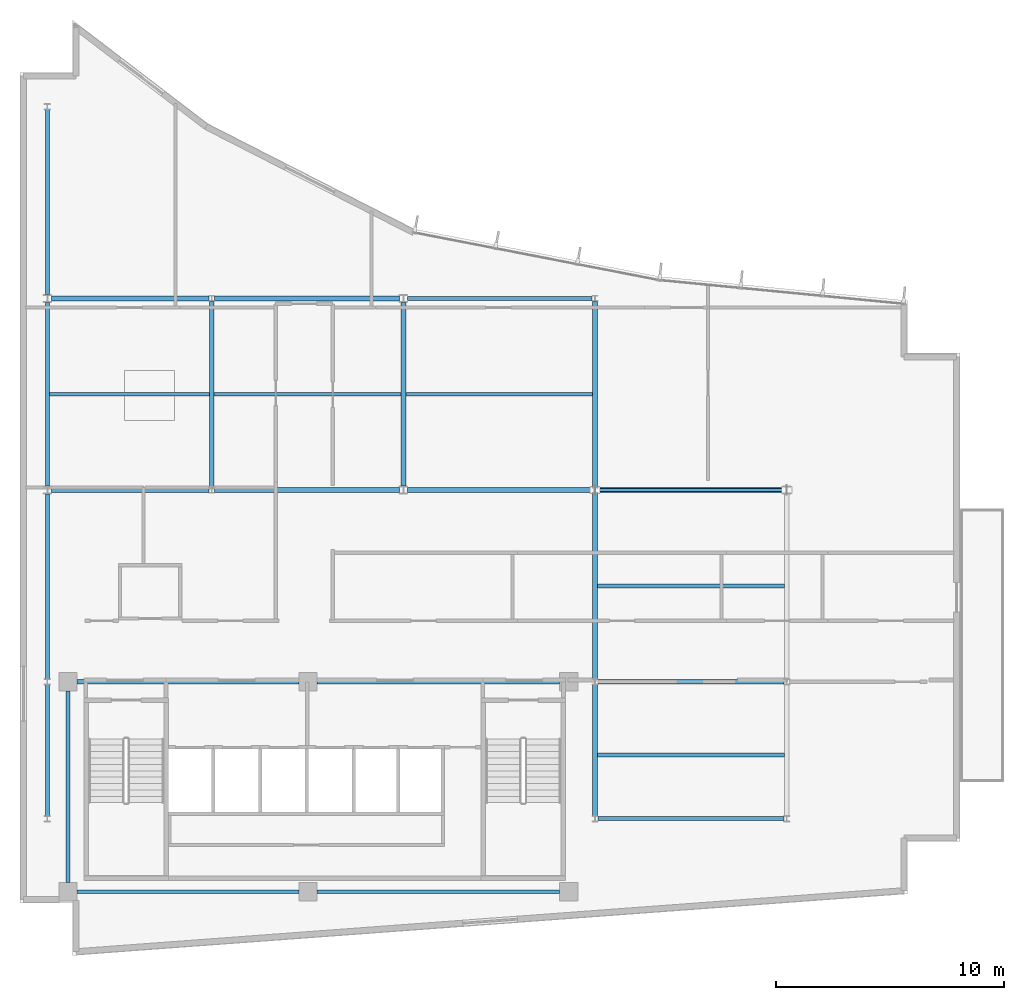
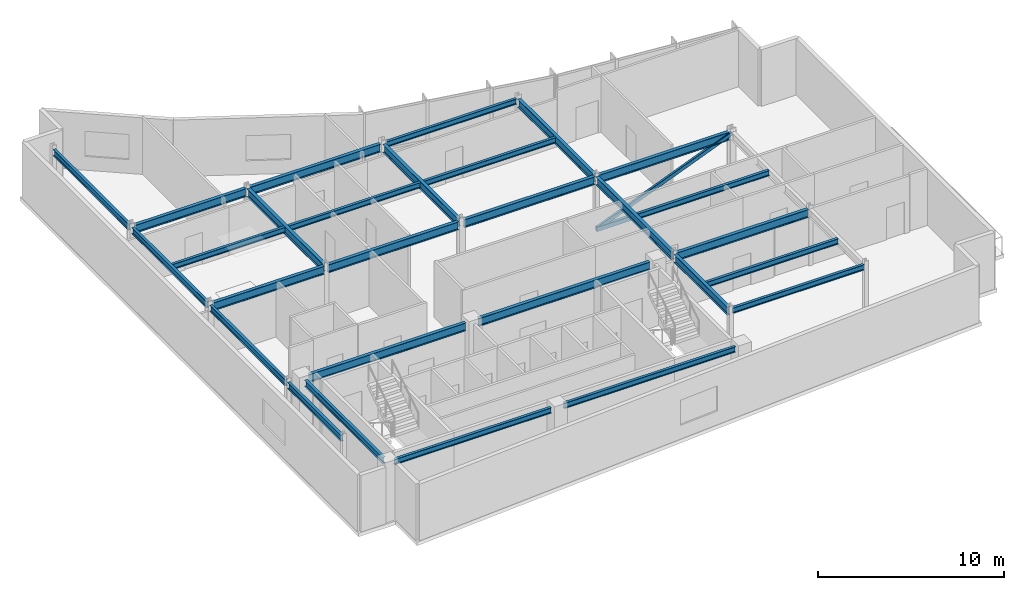
# One storey, part 5 of 16: 28 beams, 2 members.
"""IFC4 building model written with IfcOpenShell, lengths in metres."""

from ifc_helpers import new_model, si_unit, direction, frame, origin, origin_2d, place, context, subcontext, project, spatial, hollow_rectangle, i_section, extrude, material, material_profile, profile_set, type_object, element, save


model = new_model("IFC4")

# Units and contexts
model_context = context("Model", 3, precision=1e-05, world=origin(), true_north=direction((0.0, 1.0)))
body_context = subcontext(model_context, "Body", "Model", "MODEL_VIEW")
ifc_project = project(units=[si_unit("LENGTHUNIT", "METRE"), si_unit("AREAUNIT", "SQUARE_METRE"), si_unit("VOLUMEUNIT", "CUBIC_METRE"), si_unit("PLANEANGLEUNIT", "RADIAN"), si_unit("MASSUNIT", "GRAM", prefix="KILO")], contexts=[model_context])

# Site, building, storey
site_placement = place(None, origin())
site = spatial("IfcSite", under=ifc_project, at=site_placement, CompositionType="ELEMENT")
building_placement = place(site_placement, origin())
building = spatial("IfcBuilding", under=site, at=building_placement, Name="Varnakote Quay Hospital", CompositionType="ELEMENT")
storey_placement = place(building_placement, frame((0.0, 0.0, 272.35009765625)))
storey = spatial("IfcBuildingStorey", under=building, at=storey_placement, Name="L67", CompositionType="ELEMENT", Elevation=272.35009765625)

# Beams
ifc_material_1 = material(Name="Structural steel AS/NZS 3679.1 Grade 350 L0 (fy 340 MPa)", Category="steel")
ifc_material_profile_1 = material_profile(ifc_material_1, i_section(OverallWidth=0.208984375, OverallDepth=0.528076171875, WebThickness=0.009521484375, FlangeThickness=0.01318359375, FilletRadius=0.013916015625, at=origin_2d()), Name="530UB82.0")
ifc_profile_set_1 = profile_set([ifc_material_profile_1], Name="Structural steel AS/NZS 3679.1 Grade 350 L0 (fy 340 MPa)")
beam_type_1 = type_object("IfcBeamType", Name="BM-STL-530UB82-0", PredefinedType="BEAM", material=ifc_profile_set_1)
beam_1_placement = place(storey_placement, frame((2.5, 12.0, 3.44580078125), z_axis=(1.0, 0.0, 0.0), x_axis=(0.0, 1.0, 0.0)))
element("IfcBeam", 1, at=beam_1_placement, inside=storey, type_object=beam_type_1, Name="L67 Primary Floor Beam", PredefinedType="BEAM", context=body_context, shape_type="SweptSolid", body=[
    extrude(i_section(OverallWidth=0.208984375, OverallDepth=0.528076171875, WebThickness=0.009521484375, FlangeThickness=0.01318359375, FilletRadius=0.013916015625, at=origin_2d()), origin(), (0.0, 0.0, 1.0), 9.719970703125),
])
beam_2_placement = place(storey_placement, frame((13.02001953125, 12.0, 3.44580078125), z_axis=(1.0, 0.0, 0.0), x_axis=(0.0, 1.0, 0.0)))
element("IfcBeam", 2, at=beam_2_placement, inside=storey, type_object=beam_type_1, Name="L67 Primary Floor Beam", PredefinedType="BEAM", context=body_context, shape_type="SweptSolid", body=[
    extrude(i_section(OverallWidth=0.208984375, OverallDepth=0.528076171875, WebThickness=0.009521484375, FlangeThickness=0.01318359375, FilletRadius=0.013916015625, at=origin_2d()), origin(), (0.0, 0.0, 1.0), 10.6298828125),
])
beam_3_placement = place(storey_placement, frame((25.326904296875, 12.0, 3.44580078125), z_axis=(1.0, 0.0, 0.0), x_axis=(0.0, 1.0, 0.0)))
element("IfcBeam", 3, at=beam_3_placement, inside=storey, type_object=beam_type_1, Name="L67 Primary Floor Beam", PredefinedType="BEAM", context=body_context, shape_type="SweptSolid", body=[
    extrude(i_section(OverallWidth=0.208984375, OverallDepth=0.528076171875, WebThickness=0.009521484375, FlangeThickness=0.01318359375, FilletRadius=0.013916015625, at=origin_2d()), origin(), (0.0, 0.0, 1.0), 8.14599609375),
])
beam_4_placement = place(storey_placement, frame((1.375, 20.39990234375, 3.44580078125), z_axis=(1.0, 0.0, 0.0), x_axis=(0.0, 1.0, 0.0)))
element("IfcBeam", 4, at=beam_4_placement, inside=storey, type_object=beam_type_1, Name="L67 Primary Floor Beam", PredefinedType="BEAM", context=body_context, shape_type="SweptSolid", body=[
    extrude(i_section(OverallWidth=0.208984375, OverallDepth=0.528076171875, WebThickness=0.009521484375, FlangeThickness=0.01318359375, FilletRadius=0.013916015625, at=origin_2d()), origin(), (0.0, 0.0, 1.0), 6.89794921875),
])
for number, where, z_axis, x_axis, name in (
    (5, (8.527099609375, 20.39990234375, 3.44580078125), (1.0, 0.0, 0.0), (0.0, 1.0, 0.0), "L67 Primary Floor Beam"),
    (6, (16.97509765625, 20.39990234375, 3.44580078125), (1.0, 0.0, 0.0), (0.0, 1.0, 0.0), "L67 Primary Floor Beam"),
):
    element("IfcBeam", number, at=place(storey_placement, frame(where, z_axis=z_axis, x_axis=x_axis)), inside=storey, type_object=beam_type_1, Name=name, PredefinedType="BEAM", context=body_context, shape_type="SweptSolid", body=[
        extrude(i_section(OverallWidth=0.208984375, OverallDepth=0.528076171875, WebThickness=0.009521484375, FlangeThickness=0.01318359375, FilletRadius=0.013916015625, at=origin_2d()), origin(), (0.0, 0.0, 1.0), 8.097900390625),
    ])
beam_5_placement = place(storey_placement, frame((25.326904296875, 20.39990234375, 3.44580078125), z_axis=(1.0, 0.0, 0.0), x_axis=(0.0, 1.0, 0.0)))
element("IfcBeam", 7, at=beam_5_placement, inside=storey, type_object=beam_type_1, Name="L67 Primary Floor Beam", PredefinedType="BEAM", context=body_context, shape_type="SweptSolid", body=[
    extrude(i_section(OverallWidth=0.208984375, OverallDepth=0.528076171875, WebThickness=0.009521484375, FlangeThickness=0.01318359375, FilletRadius=0.013916015625, at=origin_2d()), origin(), (0.0, 0.0, 1.0), 8.09814453125),
])
beam_6_placement = place(storey_placement, frame((1.375, 28.800048828125, 3.44580078125), z_axis=(1.0, 0.0, 0.0), x_axis=(0.0, 1.0, 0.0)))
element("IfcBeam", 8, at=beam_6_placement, inside=storey, type_object=beam_type_1, Name="L67 Primary Floor Beam", PredefinedType="BEAM", context=body_context, shape_type="SweptSolid", body=[
    extrude(i_section(OverallWidth=0.208984375, OverallDepth=0.528076171875, WebThickness=0.009521484375, FlangeThickness=0.01318359375, FilletRadius=0.013916015625, at=origin_2d()), origin(), (0.0, 0.0, 1.0), 6.89794921875),
])
beam_7_placement = place(storey_placement, frame((8.527099609375, 28.800048828125, 3.44580078125), z_axis=(1.0, 0.0, 0.0), x_axis=(0.0, 1.0, 0.0)))
element("IfcBeam", 9, at=beam_7_placement, inside=storey, type_object=beam_type_1, Name="L67 Primary Floor Beam", PredefinedType="BEAM", context=body_context, shape_type="SweptSolid", body=[
    extrude(i_section(OverallWidth=0.208984375, OverallDepth=0.528076171875, WebThickness=0.009521484375, FlangeThickness=0.01318359375, FilletRadius=0.013916015625, at=origin_2d()), origin(), (0.0, 0.0, 1.0), 8.097900390625),
])
beam_8_placement = place(storey_placement, frame((8.39990234375, 20.527099609375, 3.44580078125), z_axis=(0.0, 1.0, 0.0), x_axis=(-1.0, 0.0, 0.0)))
element("IfcBeam", 10, at=beam_8_placement, inside=storey, type_object=beam_type_1, Name="L67 Primary Tie Beam", PredefinedType="BEAM", context=body_context, shape_type="SweptSolid", body=[
    extrude(i_section(OverallWidth=0.208984375, OverallDepth=0.528076171875, WebThickness=0.009521484375, FlangeThickness=0.01318359375, FilletRadius=0.013916015625, at=origin_2d()), origin(), (0.0, 0.0, 1.0), 8.14599609375),
])
beam_9_placement = place(storey_placement, frame((16.800048828125, 20.570068359375, 3.44580078125), z_axis=(0.0, 1.0, 0.0), x_axis=(-1.0, 0.0, 0.0)))
element("IfcBeam", 11, at=beam_9_placement, inside=storey, type_object=beam_type_1, Name="L67 Primary Tie Beam", PredefinedType="BEAM", context=body_context, shape_type="SweptSolid", body=[
    extrude(i_section(OverallWidth=0.208984375, OverallDepth=0.528076171875, WebThickness=0.009521484375, FlangeThickness=0.01318359375, FilletRadius=0.013916015625, at=origin_2d()), origin(), (0.0, 0.0, 1.0), 8.059814453125),
])
beam_10_placement = place(storey_placement, frame((25.199951171875, 6.126953125, 3.44580078125), z_axis=(0.0, 1.0, 0.0), x_axis=(-1.0, 0.0, 0.0)))
element("IfcBeam", 12, at=beam_10_placement, inside=storey, type_object=beam_type_1, Name="L67 Primary Tie Beam", PredefinedType="BEAM", context=body_context, shape_type="SweptSolid", body=[
    extrude(i_section(OverallWidth=0.208984375, OverallDepth=0.528076171875, WebThickness=0.009521484375, FlangeThickness=0.01318359375, FilletRadius=0.013916015625, at=origin_2d()), origin(), (0.0, 0.0, 1.0), 5.74609375),
])
for number, where, z_axis, x_axis, name in (
    (13, (25.199951171875, 12.126953125, 3.44580078125), (0.0, 1.0, 0.0), (-1.0, 0.0, 0.0), "L67 Primary Tie Beam"),
    (14, (25.199951171875, 20.527099609375, 3.44580078125), (0.0, 1.0, 0.0), (-1.0, 0.0, 0.0), "L67 Primary Tie Beam"),
):
    element("IfcBeam", number, at=place(storey_placement, frame(where, z_axis=z_axis, x_axis=x_axis)), inside=storey, type_object=beam_type_1, Name=name, PredefinedType="BEAM", context=body_context, shape_type="SweptSolid", body=[
        extrude(i_section(OverallWidth=0.208984375, OverallDepth=0.528076171875, WebThickness=0.009521484375, FlangeThickness=0.01318359375, FilletRadius=0.013916015625, at=origin_2d()), origin(), (0.0, 0.0, 1.0), 8.14599609375),
    ])
ifc_material_2 = material(Name="Structural steel AS/NZS 3679.1 Grade 350 L0 (fy 340 MPa)", Category="steel")
ifc_material_profile_2 = material_profile(ifc_material_2, i_section(OverallWidth=0.1708984375, OverallDepth=0.35595703125, WebThickness=0.00732421875, FlangeThickness=0.011474609375, FilletRadius=0.011474609375, at=origin_2d()), Name="360UB50.7")
ifc_profile_set_2 = profile_set([ifc_material_profile_2], Name="Structural steel AS/NZS 3679.1 Grade 350 L0 (fy 340 MPa)")
beam_type_2 = type_object("IfcBeamType", Name="JST-STL-360UB50-7", PredefinedType="JOIST", material=ifc_profile_set_2)
for number, where, z_axis, x_axis, name in (
    (15, (25.304443359375, 8.800048828125, 3.531982421875), (1.0, 0.0, 0.0), (0.0, 1.0, 0.0), "L67 Composite Floor Joist"),
    (16, (25.304443359375, 16.199951171875, 3.531982421875), (1.0, 0.0, 0.0), (0.0, 1.0, 0.0), "L67 Composite Floor Joist"),
):
    element("IfcBeam", number, at=place(storey_placement, frame(where, z_axis=z_axis, x_axis=x_axis)), inside=storey, type_object=beam_type_2, Name=name, PredefinedType="JOIST", context=body_context, shape_type="SweptSolid", body=[
        extrude(i_section(OverallWidth=0.1708984375, OverallDepth=0.35595703125, WebThickness=0.00732421875, FlangeThickness=0.011474609375, FilletRadius=0.011474609375, at=origin_2d()), origin(), (0.0, 0.0, 1.0), 8.191162109375),
    ])
beam_11_placement = place(storey_placement, frame((1.2890625, 24.60009765625, 3.531982421875), z_axis=(1.0, 0.0, 0.0), x_axis=(0.0, 1.0, 0.0)))
element("IfcBeam", 17, at=beam_11_placement, inside=storey, type_object=beam_type_2, Name="L67 Composite Floor Joist", PredefinedType="JOIST", context=body_context, shape_type="SweptSolid", body=[
    extrude(i_section(OverallWidth=0.1708984375, OverallDepth=0.35595703125, WebThickness=0.00732421875, FlangeThickness=0.011474609375, FilletRadius=0.011474609375, at=origin_2d()), origin(), (0.0, 0.0, 1.0), 7.00634765625),
])
beam_12_placement = place(storey_placement, frame((8.50439453125, 24.60009765625, 3.531982421875), z_axis=(1.0, 0.0, 0.0), x_axis=(0.0, 1.0, 0.0)))
element("IfcBeam", 18, at=beam_12_placement, inside=storey, type_object=beam_type_2, Name="L67 Composite Floor Joist", PredefinedType="JOIST", context=body_context, shape_type="SweptSolid", body=[
    extrude(i_section(OverallWidth=0.1708984375, OverallDepth=0.35595703125, WebThickness=0.00732421875, FlangeThickness=0.011474609375, FilletRadius=0.011474609375, at=origin_2d()), origin(), (0.0, 0.0, 1.0), 8.191162109375),
])
beam_13_placement = place(storey_placement, frame((16.904541015625, 24.60009765625, 3.531982421875), z_axis=(1.0, 0.0, 0.0), x_axis=(0.0, 1.0, 0.0)))
element("IfcBeam", 19, at=beam_13_placement, inside=storey, type_object=beam_type_2, Name="L67 Composite Floor Joist", PredefinedType="JOIST", context=body_context, shape_type="SweptSolid", body=[
    extrude(i_section(OverallWidth=0.1708984375, OverallDepth=0.35595703125, WebThickness=0.00732421875, FlangeThickness=0.011474609375, FilletRadius=0.011474609375, at=origin_2d()), origin(), (0.0, 0.0, 1.0), 8.19091796875),
])

# Members
ifc_material_3 = material(Name="Structural steel AS/NZS 1163 Grade 350 C350L0 (fy 350 MPa)", Category="steel")
ifc_material_profile_3 = material_profile(ifc_material_3, hollow_rectangle(XDim=0.14990234375, YDim=0.25, WallThickness=0.009033203125, InnerFilletRadius=0.009033203125, OuterFilletRadius=0.01806640625, at=origin_2d()), Name="250x150x9.0RHS")
ifc_profile_set_3 = profile_set([ifc_material_profile_3], Name="Structural steel AS/NZS 1163 Grade 350 C350L0 (fy 350 MPa)")
member_type_1 = type_object("IfcMemberType", Name="MBR-BRC-250x150x9-0RHS", PredefinedType="BRACE", material=ifc_profile_set_3)
member_1_placement = place(storey_placement, frame((25.199951171875, 20.39990234375, 0.179931640625), z_axis=(0.928865301858, 0.0, 0.37041767102), x_axis=(0.0, 1.0, 0.0)))
element("IfcMember", 20, at=member_1_placement, inside=storey, type_object=member_type_1, Name="L67 Sawtooth Wedge Transfer Truss Diagonal", PredefinedType="BRACE", context=body_context, shape_type="SweptSolid", body=[
    extrude(hollow_rectangle(XDim=0.14990234375, YDim=0.25, WallThickness=0.009033203125, InnerFilletRadius=0.009033203125, OuterFilletRadius=0.01806640625, at=origin_2d()), origin(), (0.0, 0.0, 1.0), 9.04345703125),
])
ifc_material_4 = material(Name="Structural steel AS/NZS 1163 Grade 350 C350L0 (fy 350 MPa)", Category="steel")
ifc_material_profile_4 = material_profile(ifc_material_4, hollow_rectangle(XDim=0.199951171875, YDim=0.300048828125, WallThickness=0.010009765625, InnerFilletRadius=0.010009765625, OuterFilletRadius=0.02001953125, at=origin_2d()), Name="300x200x10.0RHS")
ifc_profile_set_4 = profile_set([ifc_material_profile_4], Name="Structural steel AS/NZS 1163 Grade 350 C350L0 (fy 350 MPa)")
member_type_2 = type_object("IfcMemberType", Name="MBR-CHD-300x200x10-0RHS", PredefinedType="CHORD", material=ifc_profile_set_4)
member_2_placement = place(storey_placement, frame((25.199951171875, 20.39990234375, 0.179931640625), z_axis=(1.0, 0.0, 0.0), x_axis=(0.0, 1.0, 0.0)))
element("IfcMember", 21, at=member_2_placement, inside=storey, type_object=member_type_2, Name="L67 Sawtooth Wedge Transfer Truss Chord", PredefinedType="CHORD", context=body_context, shape_type="SweptSolid", body=[
    extrude(hollow_rectangle(XDim=0.199951171875, YDim=0.300048828125, WallThickness=0.010009765625, InnerFilletRadius=0.010009765625, OuterFilletRadius=0.02001953125, at=origin_2d()), origin(), (0.0, 0.0, 1.0), 8.400146484375),
])

# Beams
ifc_material_5 = material(Name="Structural steel AS/NZS 3679.1 Grade 350 L0 (fy 340 MPa)", Category="steel")
ifc_material_profile_5 = material_profile(ifc_material_5, i_section(OverallWidth=0.172119140625, OverallDepth=0.35888671875, WebThickness=0.008056640625, FlangeThickness=0.012939453125, FilletRadius=0.011474609375, at=origin_2d()), Name="360UB56.7")
ifc_profile_set_5 = profile_set([ifc_material_profile_5], Name="Structural steel AS/NZS 3679.1 Grade 350 L0 (fy 340 MPa)")
beam_type_3 = type_object("IfcBeamType", Name="SPN-STL-360UB56-7", PredefinedType="SPANDREL", material=ifc_profile_set_5)
beam_14_placement = place(storey_placement, frame((2.5, 2.800048828125, 3.530517578125), z_axis=(1.0, 0.0, 0.0), x_axis=(0.0, 1.0, 0.0)))
element("IfcBeam", 22, at=beam_14_placement, inside=storey, type_object=beam_type_3, Name="L67 Perimeter Spandrel Beam", PredefinedType="SPANDREL", context=body_context, shape_type="SweptSolid", body=[
    extrude(i_section(OverallWidth=0.172119140625, OverallDepth=0.35888671875, WebThickness=0.008056640625, FlangeThickness=0.012939453125, FilletRadius=0.011474609375, at=origin_2d()), origin(), (0.0, 0.0, 1.0), 9.719970703125),
])
beam_15_placement = place(storey_placement, frame((13.02001953125, 2.800048828125, 3.530517578125), z_axis=(1.0, 0.0, 0.0), x_axis=(0.0, 1.0, 0.0)))
element("IfcBeam", 23, at=beam_15_placement, inside=storey, type_object=beam_type_3, Name="L67 Perimeter Spandrel Beam", PredefinedType="SPANDREL", context=body_context, shape_type="SweptSolid", body=[
    extrude(i_section(OverallWidth=0.172119140625, OverallDepth=0.35888671875, WebThickness=0.008056640625, FlangeThickness=0.012939453125, FilletRadius=0.011474609375, at=origin_2d()), origin(), (0.0, 0.0, 1.0), 10.6298828125),
])
beam_16_placement = place(storey_placement, frame((25.326904296875, 6.0, 3.530517578125), z_axis=(1.0, 0.0, 0.0), x_axis=(0.0, 1.0, 0.0)))
element("IfcBeam", 24, at=beam_16_placement, inside=storey, type_object=beam_type_3, Name="L67 Perimeter Spandrel Beam", PredefinedType="SPANDREL", context=body_context, shape_type="SweptSolid", body=[
    extrude(i_section(OverallWidth=0.172119140625, OverallDepth=0.35888671875, WebThickness=0.008056640625, FlangeThickness=0.012939453125, FilletRadius=0.011474609375, at=origin_2d()), origin(), (0.0, 0.0, 1.0), 8.14599609375),
])
beam_17_placement = place(storey_placement, frame((16.97509765625, 28.800048828125, 3.530517578125), z_axis=(1.0, 0.0, 0.0), x_axis=(0.0, 1.0, 0.0)))
element("IfcBeam", 25, at=beam_17_placement, inside=storey, type_object=beam_type_3, Name="L67 Perimeter Spandrel Beam", PredefinedType="SPANDREL", context=body_context, shape_type="SweptSolid", body=[
    extrude(i_section(OverallWidth=0.172119140625, OverallDepth=0.35888671875, WebThickness=0.008056640625, FlangeThickness=0.012939453125, FilletRadius=0.011474609375, at=origin_2d()), origin(), (0.0, 0.0, 1.0), 8.097900390625),
])
ifc_material_6 = material(Name="Structural steel AS/NZS 3679.1 Grade 350 L0 (fy 340 MPa)", Category="steel")
ifc_material_profile_6 = material_profile(ifc_material_6, i_section(OverallWidth=0.177978515625, OverallDepth=0.403076171875, WebThickness=0.007568359375, FlangeThickness=0.010986328125, FilletRadius=0.011474609375, at=origin_2d()), Name="410UB53.7")
ifc_profile_set_6 = profile_set([ifc_material_profile_6], Name="Structural steel AS/NZS 3679.1 Grade 350 L0 (fy 340 MPa)")
beam_type_4 = type_object("IfcBeamType", Name="SPN-STL-410UB53-7", PredefinedType="SPANDREL", material=ifc_profile_set_6)
beam_18_placement = place(storey_placement, frame((1.199951171875, 6.126953125, 3.50830078125), z_axis=(0.0, 1.0, 0.0), x_axis=(-1.0, 0.0, 0.0)))
element("IfcBeam", 26, at=beam_18_placement, inside=storey, type_object=beam_type_4, Name="L67 Perimeter Spandrel Beam", PredefinedType="SPANDREL", context=body_context, shape_type="SweptSolid", body=[
    extrude(i_section(OverallWidth=0.177978515625, OverallDepth=0.403076171875, WebThickness=0.007568359375, FlangeThickness=0.010986328125, FilletRadius=0.011474609375, at=origin_2d()), origin(), (0.0, 0.0, 1.0), 5.74609375),
])
beam_19_placement = place(storey_placement, frame((1.199951171875, 12.126953125, 3.50830078125), z_axis=(0.0, 1.0, 0.0), x_axis=(-1.0, 0.0, 0.0)))
element("IfcBeam", 27, at=beam_19_placement, inside=storey, type_object=beam_type_4, Name="L67 Perimeter Spandrel Beam", PredefinedType="SPANDREL", context=body_context, shape_type="SweptSolid", body=[
    extrude(i_section(OverallWidth=0.177978515625, OverallDepth=0.403076171875, WebThickness=0.007568359375, FlangeThickness=0.010986328125, FilletRadius=0.011474609375, at=origin_2d()), origin(), (0.0, 0.0, 1.0), 8.10302734375),
])
beam_20_placement = place(storey_placement, frame((1.199951171875, 20.570068359375, 3.50830078125), z_axis=(0.0, 1.0, 0.0), x_axis=(-1.0, 0.0, 0.0)))
element("IfcBeam", 28, at=beam_20_placement, inside=storey, type_object=beam_type_4, Name="L67 Perimeter Spandrel Beam", PredefinedType="SPANDREL", context=body_context, shape_type="SweptSolid", body=[
    extrude(i_section(OverallWidth=0.177978515625, OverallDepth=0.403076171875, WebThickness=0.007568359375, FlangeThickness=0.010986328125, FilletRadius=0.011474609375, at=origin_2d()), origin(), (0.0, 0.0, 1.0), 8.059814453125),
])
beam_21_placement = place(storey_placement, frame((1.199951171875, 28.969970703125, 3.50830078125), z_axis=(0.0, 1.0, 0.0), x_axis=(-1.0, 0.0, 0.0)))
element("IfcBeam", 29, at=beam_21_placement, inside=storey, type_object=beam_type_4, Name="L67 Perimeter Spandrel Beam", PredefinedType="SPANDREL", context=body_context, shape_type="SweptSolid", body=[
    extrude(i_section(OverallWidth=0.177978515625, OverallDepth=0.403076171875, WebThickness=0.007568359375, FlangeThickness=0.010986328125, FilletRadius=0.011474609375, at=origin_2d()), origin(), (0.0, 0.0, 1.0), 8.10302734375),
])
beam_22_placement = place(storey_placement, frame((2.10009765625, 3.199951171875, 3.50830078125), z_axis=(0.0, 1.0, 0.0), x_axis=(-1.0, 0.0, 0.0)))
element("IfcBeam", 30, at=beam_22_placement, inside=storey, type_object=beam_type_4, Name="L67 Perimeter Spandrel Beam", PredefinedType="SPANDREL", context=body_context, shape_type="SweptSolid", body=[
    extrude(i_section(OverallWidth=0.177978515625, OverallDepth=0.403076171875, WebThickness=0.007568359375, FlangeThickness=0.010986328125, FilletRadius=0.011474609375, at=origin_2d()), origin(), (0.0, 0.0, 1.0), 8.400146484375),
])

save(model, "model.ifc")
